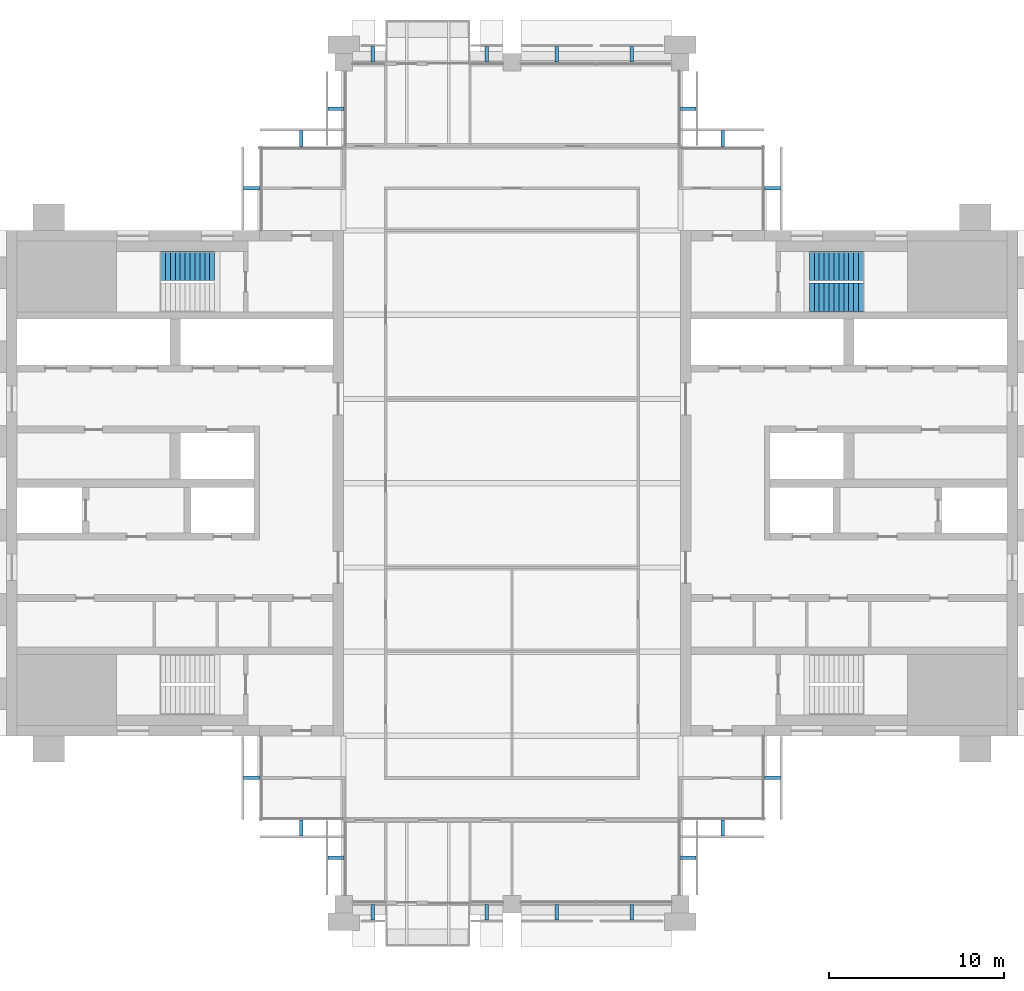
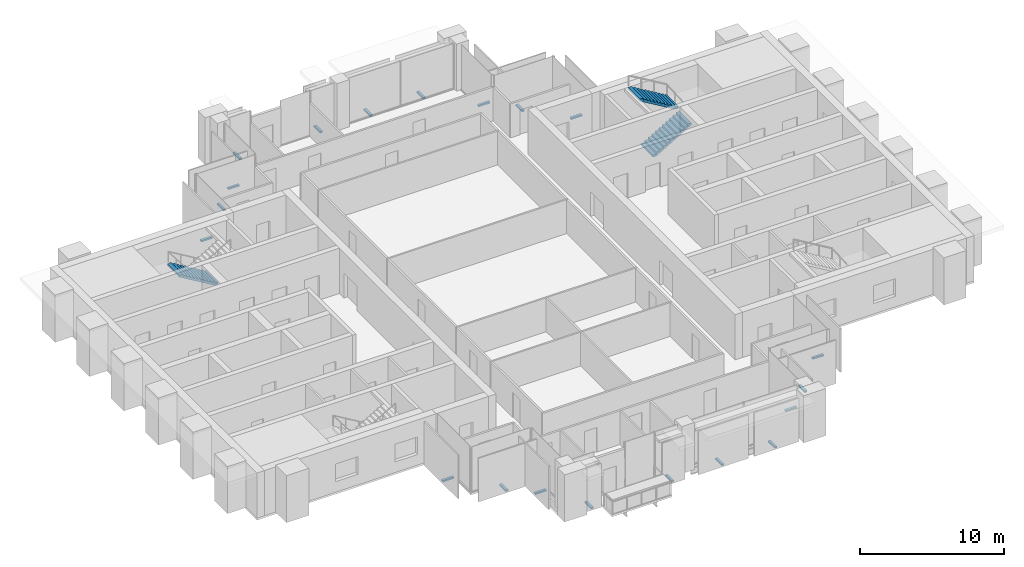
# One storey, part 12 of 13: 20 discrete accessories, 3 stair flights, 2 elements without a shape of their own.
"""IFC4 building model written with IfcOpenShell, lengths in metres."""

from ifc_helpers import new_model, si_unit, direction, frame, origin, origin_2d, place, context, subcontext, project, spatial, polyline, rectangle, outline, extrude, material, type_object, element, aggregate, save


model = new_model("IFC4")

# Units and contexts
model_context = context("Model", 3, precision=1e-05, world=origin(), true_north=direction((0.0, 1.0)))
body_context = subcontext(model_context, "Body", "Model", "MODEL_VIEW")
ifc_project = project(units=[si_unit("LENGTHUNIT", "METRE"), si_unit("AREAUNIT", "SQUARE_METRE"), si_unit("VOLUMEUNIT", "CUBIC_METRE"), si_unit("PLANEANGLEUNIT", "RADIAN"), si_unit("MASSUNIT", "GRAM", prefix="KILO")], contexts=[model_context])

# Site, building, storey
site_placement = place(None, origin())
site = spatial("IfcSite", under=ifc_project, at=site_placement, CompositionType="ELEMENT")
building_placement = place(site_placement, origin())
building = spatial("IfcBuilding", under=site, at=building_placement, Name="Baori Bourse Tower", CompositionType="ELEMENT")
storey_placement = place(building_placement, frame((0.0, 0.0, 338.300048828125)))
storey = spatial("IfcBuildingStorey", under=building, at=storey_placement, Name="L75", CompositionType="ELEMENT", Elevation=338.300048828125)

# Stair, stair flight
ifc_material_1 = material(Name="Concrete f'c 50 MPa", Category="concrete")
stair_type = type_object("IfcStairType", Name="Core stair", PredefinedType="HALF_TURN_STAIR", material=ifc_material_1)
stair_1_placement = place(storey_placement, origin())
stair_1 = element("IfcStair", 1, at=stair_1_placement, inside=storey, type_object=stair_type, Name="L75 Stair WB", PredefinedType="HALF_TURN_STAIR")
ifc_material_2 = material(Name="Concrete f'c 50 MPa", Category="concrete")
stair_flight_type = type_object("IfcStairFlightType", Name="Core stair flight", PredefinedType="STRAIGHT", material=ifc_material_2)
stair_flight_1_placement = place(storey_placement, frame((11.85009765625, 36.375, 0.0), z_axis=(0.0, 0.0, 1.0), x_axis=(-1.0, 0.0, 0.0)))
stair_flight_1 = element("IfcStairFlight", 2, at=stair_flight_1_placement, type_object=stair_flight_type, Name="ST2 flight 1", NumberOfRisers=12, NumberOfTreads=11, PredefinedType="STRAIGHT", RiserHeight=0.166666667, TreadLength=0.28, context=body_context, shape_type="SweptSolid", body=[
    extrude(outline(polyline([(0.0, 0.0), (0.0, 0.166748046875), (0.280029296875, 0.166748046875), (0.280029296875, 0.333251953125), (0.56005859375, 0.333251953125), (0.56005859375, 0.5), (0.840087890625, 0.5), (0.840087890625, 0.666748046875), (1.1201171875, 0.666748046875), (1.1201171875, 0.833251953125), (1.39990234375, 0.833251953125), (1.39990234375, 1.0), (1.679931640625, 1.0), (1.679931640625, 1.166748046875), (1.9599609375, 1.166748046875), (1.9599609375, 1.333251953125), (2.239990234375, 1.333251953125), (2.239990234375, 1.5), (2.52001953125, 1.5), (2.52001953125, 1.666748046875), (2.800048828125, 1.666748046875), (2.800048828125, 1.833251953125), (3.080078125, 1.833251953125), (3.080078125, 2.0), (3.080078125, 1.658935546875), (0.29296875, 0.0), (0.0, 0.0)])), frame((0.0, 0.824951171875, 0.0), z_axis=(0.0, -1.0, 0.0), x_axis=(1.0, 0.0, 0.0)), (0.0, 0.0, 1.0), 1.64990234375),
])
aggregate(stair_1, [stair_flight_1])

# Stair, stair flights
stair_2_placement = place(storey_placement, origin())
stair_2 = element("IfcStair", 3, at=stair_2_placement, inside=storey, type_object=stair_type, Name="L75 Stair EB", PredefinedType="HALF_TURN_STAIR")
stair_flight_2_placement = place(storey_placement, frame((45.75, 34.574951171875, 0.0), z_axis=(0.0, 0.0, 1.0), x_axis=(1.0, 0.0, 0.0)))
stair_flight_2 = element("IfcStairFlight", 4, at=stair_flight_2_placement, type_object=stair_flight_type, Name="ST4 flight 1", NumberOfRisers=12, NumberOfTreads=11, PredefinedType="STRAIGHT", RiserHeight=0.166666667, TreadLength=0.28, context=body_context, shape_type="SweptSolid", body=[
    extrude(outline(polyline([(0.0, 0.0), (0.0, 0.166748046875), (0.280029296875, 0.166748046875), (0.280029296875, 0.333251953125), (0.56005859375, 0.333251953125), (0.56005859375, 0.5), (0.840087890625, 0.5), (0.840087890625, 0.666748046875), (1.1201171875, 0.666748046875), (1.1201171875, 0.833251953125), (1.39990234375, 0.833251953125), (1.39990234375, 1.0), (1.679931640625, 1.0), (1.679931640625, 1.166748046875), (1.9599609375, 1.166748046875), (1.9599609375, 1.333251953125), (2.239990234375, 1.333251953125), (2.239990234375, 1.5), (2.52001953125, 1.5), (2.52001953125, 1.666748046875), (2.800048828125, 1.666748046875), (2.800048828125, 1.833251953125), (3.080078125, 1.833251953125), (3.080078125, 2.0), (3.080078125, 1.658935546875), (0.29296875, 0.0), (0.0, 0.0)])), frame((0.0, 0.824951171875, 0.0), z_axis=(0.0, -1.0, 0.0), x_axis=(1.0, 0.0, 0.0)), (0.0, 0.0, 1.0), 1.64990234375),
])
stair_flight_3_placement = place(storey_placement, frame((48.830078125, 36.375, 2.0), z_axis=(0.0, 0.0, 1.0), x_axis=(-1.0, 0.0, 0.0)))
stair_flight_3 = element("IfcStairFlight", 5, at=stair_flight_3_placement, type_object=stair_flight_type, Name="ST4 flight 2", NumberOfRisers=12, NumberOfTreads=11, PredefinedType="STRAIGHT", RiserHeight=0.166666667, TreadLength=0.28, context=body_context, shape_type="SweptSolid", body=[
    extrude(outline(polyline([(0.0, 0.0), (0.0, 0.166748046875), (0.280029296875, 0.166748046875), (0.280029296875, 0.333251953125), (0.56005859375, 0.333251953125), (0.56005859375, 0.5), (0.840087890625, 0.5), (0.840087890625, 0.666748046875), (1.1201171875, 0.666748046875), (1.1201171875, 0.833251953125), (1.39990234375, 0.833251953125), (1.39990234375, 1.0), (1.679931640625, 1.0), (1.679931640625, 1.166748046875), (1.9599609375, 1.166748046875), (1.9599609375, 1.333251953125), (2.239990234375, 1.333251953125), (2.239990234375, 1.5), (2.52001953125, 1.5), (2.52001953125, 1.666748046875), (2.800048828125, 1.666748046875), (2.800048828125, 1.833251953125), (3.080078125, 1.833251953125), (3.080078125, 2.0), (3.080078125, 1.658935546875), (0.29296875, 0.0), (0.0, 0.0)])), frame((0.0, 0.824951171875, 0.0), z_axis=(0.0, -1.0, 0.0), x_axis=(1.0, 0.0, 0.0)), (0.0, 0.0, 1.0), 1.64990234375),
])
aggregate(stair_2, [stair_flight_2, stair_flight_3])

# Discrete accessories
ifc_material_3 = material(Name="Pale anodised aluminium", Category="aluminium")
discrete_accessory_type = type_object("IfcDiscreteAccessoryType", Name="OS2 Outer skin bracket", PredefinedType="BRACKET", material=ifc_material_3)
for number, where, z_axis, x_axis, name in (
    (6, (43.64990234375, 40.800048828125, -0.14404296875), (0.0, 0.0, 1.0), (0.0, 1.0, 0.0), "Outer skin bracket L75 1"),
    (7, (40.800048828125, 43.64990234375, -0.14404296875), (0.0, 0.0, 1.0), (-1.0, 0.0, 0.0), "Outer skin bracket L75 2"),
    (8, (38.85009765625, 45.35009765625, -0.14404296875), (0.0, 0.0, 1.0), (0.0, 1.0, 0.0), "Outer skin bracket L75 3"),
    (9, (35.612548828125, 48.449951171875, -0.14404296875), (0.0, 0.0, 1.0), (-1.0, 0.0, 0.0), "Outer skin bracket L75 4"),
    (10, (31.362548828125, 48.449951171875, -0.14404296875), (0.0, 0.0, 1.0), (-1.0, 0.0, 0.0), "Outer skin bracket L75 5"),
    (11, (27.35009765625, 48.449951171875, -0.14404296875), (0.0, 0.0, 1.0), (-1.0, 0.0, 0.0), "Outer skin bracket L75 6"),
    (12, (20.875, 48.449951171875, -0.14404296875), (0.0, 0.0, 1.0), (-1.0, 0.0, 0.0), "Outer skin bracket L75 7"),
    (13, (18.75, 45.35009765625, -0.14404296875), (0.0, 0.0, 1.0), (0.0, -1.0, 0.0), "Outer skin bracket L75 8"),
    (14, (16.800048828125, 43.64990234375, -0.14404296875), (0.0, 0.0, 1.0), (-1.0, 0.0, 0.0), "Outer skin bracket L75 9"),
    (15, (13.949951171875, 40.800048828125, -0.14404296875), (0.0, 0.0, 1.0), (0.0, -1.0, 0.0), "Outer skin bracket L75 10"),
    (16, (13.949951171875, 7.199951171875, -0.14404296875), (0.0, 0.0, 1.0), (0.0, -1.0, 0.0), "Outer skin bracket L75 11"),
    (17, (16.800048828125, 4.35009765625, -0.14404296875), (0.0, 0.0, 1.0), (1.0, 0.0, 0.0), "Outer skin bracket L75 12"),
    (18, (18.75, 2.64990234375, -0.14404296875), (0.0, 0.0, 1.0), (0.0, -1.0, 0.0), "Outer skin bracket L75 13"),
    (19, (20.875, -0.449951171875, -0.14404296875), (0.0, 0.0, 1.0), (1.0, 0.0, 0.0), "Outer skin bracket L75 14"),
    (20, (27.35009765625, -0.449951171875, -0.14404296875), (0.0, 0.0, 1.0), (1.0, 0.0, 0.0), "Outer skin bracket L75 15"),
    (21, (31.362548828125, -0.449951171875, -0.14404296875), (0.0, 0.0, 1.0), (1.0, 0.0, 0.0), "Outer skin bracket L75 16"),
    (22, (35.612548828125, -0.449951171875, -0.14404296875), (0.0, 0.0, 1.0), (1.0, 0.0, 0.0), "Outer skin bracket L75 17"),
    (23, (38.85009765625, 2.64990234375, -0.14404296875), (0.0, 0.0, 1.0), (0.0, 1.0, 0.0), "Outer skin bracket L75 18"),
    (24, (40.800048828125, 4.35009765625, -0.14404296875), (0.0, 0.0, 1.0), (1.0, 0.0, 0.0), "Outer skin bracket L75 19"),
    (25, (43.64990234375, 7.199951171875, -0.14404296875), (0.0, 0.0, 1.0), (0.0, 1.0, 0.0), "Outer skin bracket L75 20"),
):
    element("IfcDiscreteAccessory", number, at=place(storey_placement, frame(where, z_axis=z_axis, x_axis=x_axis)), inside=storey, type_object=discrete_accessory_type, Name=name, PredefinedType="BRACKET", context=body_context, shape_type="SweptSolid", body=[
        extrude(rectangle(XDim=0.199951171875, YDim=0.89990234375, at=origin_2d()), origin(), (0.0, 0.0, 1.0), 0.1279296875),
    ])

save(model, "model.ifc")
